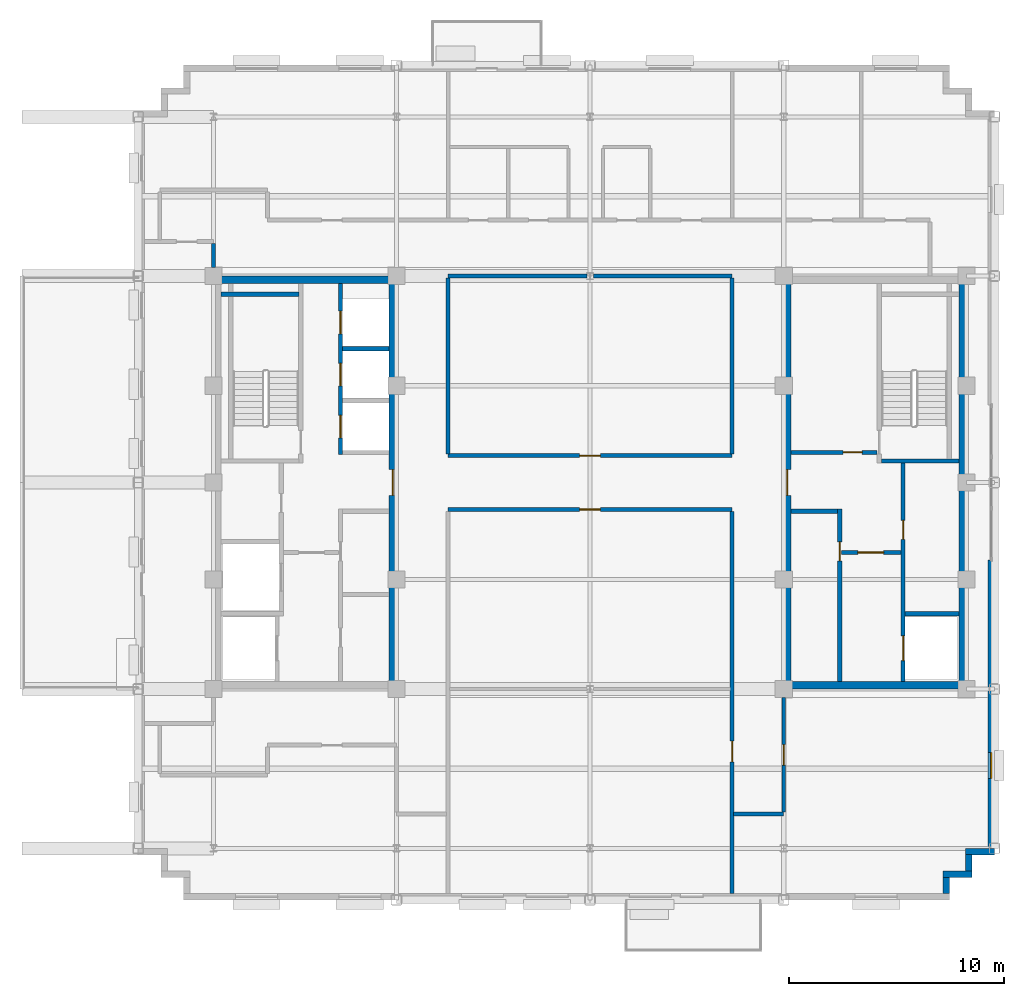
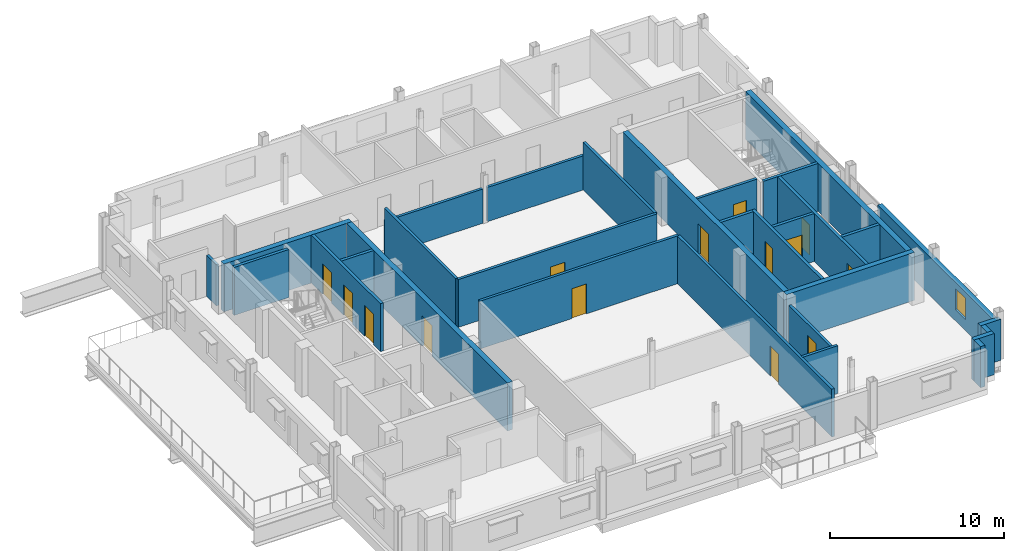
# One storey, part 7 of 14: 30 walls, 14 doors, 1 window, 15 openings.
"""IFC4 building model written with IfcOpenShell, lengths in metres."""

import ifcopenshell
import ifcopenshell.guid

model = None  # the IFC model being written
_history = None  # IfcOwnerHistory: only IFC2X3 demands one
_inside = {}  # id of a spatial element -> (the spatial element, [elements in it])
_under = {}  # id of a project, library or spatial element -> (it, [spatial elements below it])
_declared = {}  # id of a project -> (the project, [libraries it declares])
_typed = {}  # id of a type object -> (the type object, [elements of that type])
_made_of = {}  # id of a material, layer set ... -> (it, [elements and type objects made of it])


def new_model(schema):
    """Start an empty IFC model of exactly this schema.

    Asked for "IFC4X3", IfcOpenShell would pick the latest addendum, in which some entities
    have other attributes; the version numbers below select the first issue.
    IFC2X3 requires an IfcOwnerHistory on every rooted entity: one is made here for all.
    """
    global model, _history
    if schema == "IFC4X3":
        model = ifcopenshell.file(schema_version=(4, 3, 0, 0))
    else:
        model = ifcopenshell.file(schema=schema)
    _inside.clear()
    _under.clear()
    _declared.clear()
    _typed.clear()
    _made_of.clear()
    _history = None
    if model.schema == "IFC2X3":
        org = make("IfcOrganization", Name="unknown")
        user = make(
            "IfcPersonAndOrganization",
            ThePerson=make("IfcPerson", FamilyName="unknown"),
            TheOrganization=org,
        )
        app = make(
            "IfcApplication",
            ApplicationDeveloper=org,
            Version="unknown",
            ApplicationFullName="unknown",
            ApplicationIdentifier="unknown",
        )
        _history = make(
            "IfcOwnerHistory",
            OwningUser=user,
            OwningApplication=app,
            ChangeAction="ADDED",
            CreationDate=0,
        )
    return model


def make(cls, **values):
    """One entity of the class cls with the attributes given. An attribute that is None is left unset."""
    return model.create_entity(
        cls, **{name: value for name, value in values.items() if value is not None}
    )


def rooted(cls, **values):
    """An entity with a GlobalId (a new one), such as an element, a storey or a relation."""
    return make(cls, GlobalId=ifcopenshell.guid.new(), OwnerHistory=_history, **values)


def si_unit(unit_type, name, prefix=None):
    """IfcSIUnit, for example si_unit("LENGTHUNIT", "METRE", prefix="MILLI")."""
    return make("IfcSIUnit", UnitType=unit_type, Prefix=prefix, Name=name)


def assignment(units):
    """IfcUnitAssignment: the units of a project."""
    return None if units is None else make("IfcUnitAssignment", Units=units)


def point(xyz):
    """IfcCartesianPoint."""
    return None if xyz is None else make("IfcCartesianPoint", Coordinates=xyz)


def direction(xyz):
    """IfcDirection."""
    return None if xyz is None else make("IfcDirection", DirectionRatios=xyz)


def frame(location, z_axis=None, x_axis=None):
    """IfcAxis2Placement3D, a coordinate frame: its origin and axes. An axis left out is left unset."""
    return make(
        "IfcAxis2Placement3D",
        Location=point(location),
        Axis=direction(z_axis),
        RefDirection=direction(x_axis),
    )


def frame_2d(location, x_axis=None):
    """IfcAxis2Placement2D, a coordinate frame in the plane: its origin and x axis."""
    return make(
        "IfcAxis2Placement2D", Location=point(location), RefDirection=direction(x_axis)
    )


def origin():
    """The frame at (0, 0, 0) with its axes left unset."""
    return frame((0.0, 0.0, 0.0))


def place(relative_to, where):
    """IfcLocalPlacement: puts the frame where relative to a parent placement (None: the world)."""
    return make(
        "IfcLocalPlacement", PlacementRelTo=relative_to, RelativePlacement=where
    )


def context(
    kind, dimensions, precision=None, world=None, true_north=None, identifier=None
):
    """IfcGeometricRepresentationContext, for example the 3D "Model" context."""
    return make(
        "IfcGeometricRepresentationContext",
        ContextIdentifier=identifier,
        ContextType=kind,
        CoordinateSpaceDimension=dimensions,
        Precision=precision,
        WorldCoordinateSystem=world,
        TrueNorth=true_north,
    )


def subcontext(parent, identifier, kind, view, scale=None):
    """IfcGeometricRepresentationSubContext, for example "Body" below "Model"."""
    return make(
        "IfcGeometricRepresentationSubContext",
        ContextIdentifier=identifier,
        ContextType=kind,
        ParentContext=parent,
        TargetScale=scale,
        TargetView=view,
    )


def project(units=None, contexts=None):
    """IfcProject with its units and contexts."""
    return rooted(
        "IfcProject",
        Name="project",
        RepresentationContexts=contexts,
        UnitsInContext=assignment(units),
    )


def spatial(cls, under=None, at=None, **own):
    """A site, building, storey or space (cls), placed at a placement, below another one or the project."""
    s = rooted(cls, ObjectPlacement=at, **own)
    if under is not None:
        _under.setdefault(under.id(), (under, []))[1].append(s)
    return s


def profile(cls, at=None, kind="AREA", **sizes):
    """A parametric profile (cls). Its sizes go by their IFC names, for example OverallWidth=200.0."""
    return make(cls, ProfileType=kind, Position=at, **sizes)


def rectangle(**sizes):
    """IfcRectangleProfileDef."""
    return profile("IfcRectangleProfileDef", **sizes)


def extrude(swept, where, along, depth):
    """IfcExtrudedAreaSolid: the profile swept, set in the frame where, extruded along a direction by depth."""
    return make(
        "IfcExtrudedAreaSolid",
        SweptArea=swept,
        Position=where,
        ExtrudedDirection=direction(along),
        Depth=depth,
    )


def shape(context_of_items, identifier, shape_type, items):
    """IfcShapeRepresentation: the items that make up one representation, for example the "Body"."""
    return make(
        "IfcShapeRepresentation",
        ContextOfItems=context_of_items,
        RepresentationIdentifier=identifier,
        RepresentationType=shape_type,
        Items=items,
    )


def source(mapping_origin, context_of_items, identifier, shape_type, items):
    """IfcRepresentationMap: a shape defined once, which mapped items show again and again."""
    return make(
        "IfcRepresentationMap",
        MappingOrigin=mapping_origin,
        MappedRepresentation=shape(context_of_items, identifier, shape_type, items),
    )


def transform(
    local_origin,
    x_axis=None,
    y_axis=None,
    z_axis=None,
    scale=None,
    scale2=None,
    scale3=None,
    uniform=True,
):
    """IfcCartesianTransformationOperator3D, or its non-uniform kind. x_axis, y_axis, z_axis: its Axis1, 2, 3."""
    if uniform:
        return make(
            "IfcCartesianTransformationOperator3D",
            Axis1=direction(x_axis),
            Axis2=direction(y_axis),
            LocalOrigin=point(local_origin),
            Scale=scale,
            Axis3=direction(z_axis),
        )
    return make(
        "IfcCartesianTransformationOperator3DnonUniform",
        Axis1=direction(x_axis),
        Axis2=direction(y_axis),
        LocalOrigin=point(local_origin),
        Scale=scale,
        Axis3=direction(z_axis),
        Scale2=scale2,
        Scale3=scale3,
    )


def mapped(mapping_source, mapping_target):
    """IfcMappedItem: shows the shape of a source again, moved by a transform."""
    return make(
        "IfcMappedItem", MappingSource=mapping_source, MappingTarget=mapping_target
    )


def material(Name=None, Category=None):
    """IfcMaterial."""
    return make("IfcMaterial", Name=Name, Category=Category)


def layer(
    of_material, thickness, ventilated=None, Name=None, Category=None, Priority=None
):
    """IfcMaterialLayer: one layer of a wall or slab, of a material (None: an air gap)."""
    return make(
        "IfcMaterialLayer",
        Material=of_material,
        LayerThickness=thickness,
        IsVentilated=ventilated,
        Name=Name,
        Category=Category,
        Priority=Priority,
    )


def layer_set(layers, Name=None):
    """IfcMaterialLayerSet."""
    return make("IfcMaterialLayerSet", MaterialLayers=layers, LayerSetName=Name)


def made_of(thing, what):
    """Note that an element or type object is made of a material, layer set ...; save() writes the relation."""
    if what is not None:
        _made_of.setdefault(what.id(), (what, []))[1].append(thing)
    return thing


def type_object(cls, material=None, **own):
    """A type object (cls), such as IfcWallType, which elements share."""
    return made_of(rooted(cls, **own), material)


def type_shapes(of_type, sources):
    """Give a type object the sources (RepresentationMaps) that its elements show as mapped items."""
    of_type.RepresentationMaps = sources


def element(
    cls,
    number,
    at=None,
    inside=None,
    cuts=None,
    type_object=None,
    material=None,
    context=None,
    identifier="Body",
    shape_type=None,
    held_by="IfcProductDefinitionShape",
    body=None,
    shapes=None,
    **own,
):
    """One element of the class cls, such as IfcWall. Its Tag is "e" and its number.

    at: its placement. inside: the storey or other place that contains it. cuts: it is an
    opening in that element (IfcRelVoidsElement). A single representation is given by context,
    identifier, shape_type and body (its items); several are given by shapes. held_by: the class
    of the entity that holds the representations. save() writes the other relations.
    """
    e = rooted(cls, Tag="e%d" % number, ObjectPlacement=at, **own)
    if body is not None:
        shapes = [shape(context, identifier, shape_type, body)]
    if shapes is not None:
        e.Representation = make(held_by, Representations=shapes)
    if inside is not None:
        _inside.setdefault(inside.id(), (inside, []))[1].append(e)
    if cuts is not None:
        rooted(
            "IfcRelVoidsElement", RelatingBuildingElement=cuts, RelatedOpeningElement=e
        )
    if type_object is not None:
        _typed.setdefault(type_object.id(), (type_object, []))[1].append(e)
    return made_of(e, material)


def fill(opening, filler):
    """IfcRelFillsElement: the door or window that sits in an opening."""
    return rooted(
        "IfcRelFillsElement",
        RelatingOpeningElement=opening,
        RelatedBuildingElement=filler,
    )


def aggregate(whole, parts):
    """IfcRelAggregates: a whole, such as a stair, and the parts it consists of."""
    return rooted("IfcRelAggregates", RelatingObject=whole, RelatedObjects=parts)


def save(model, path):
    """Write the relations noted so far, then the file.

    IfcRelAggregates (storeys below a building ...), IfcRelContainedInSpatialStructure (elements
    in a storey), IfcRelDefinesByType, IfcRelAssociatesMaterial and IfcRelDeclares: one each for
    every whole, place, type object, material and project.
    """
    for whole, parts in _under.values():
        aggregate(whole, parts)
    for where, things in _inside.values():
        rooted(
            "IfcRelContainedInSpatialStructure",
            RelatedElements=things,
            RelatingStructure=where,
        )
    for kind, things in _typed.values():
        rooted("IfcRelDefinesByType", RelatedObjects=things, RelatingType=kind)
    for what, things in _made_of.values():
        rooted("IfcRelAssociatesMaterial", RelatedObjects=things, RelatingMaterial=what)
    for by, libraries in _declared.values():
        rooted("IfcRelDeclares", RelatingContext=by, RelatedDefinitions=libraries)
    model.write(path)


model = new_model("IFC4")

# Units and contexts
model_context = context("Model", 3, precision=1e-05, world=origin(), true_north=direction((0.0, 1.0)))
body_context = subcontext(model_context, "Body", "Model", "MODEL_VIEW")
ifc_project = project(units=[si_unit("LENGTHUNIT", "METRE"), si_unit("AREAUNIT", "SQUARE_METRE"), si_unit("VOLUMEUNIT", "CUBIC_METRE"), si_unit("PLANEANGLEUNIT", "RADIAN"), si_unit("MASSUNIT", "GRAM", prefix="KILO")], contexts=[model_context])

# Site, building, storey
site_placement = place(None, origin())
site = spatial("IfcSite", under=ifc_project, at=site_placement, CompositionType="ELEMENT")
building_placement = place(site_placement, origin())
building = spatial("IfcBuilding", under=site, at=building_placement, Name="Nuvemarco Arch Tower", CompositionType="ELEMENT")
storey_placement = place(building_placement, frame((0.0, 0.0, 245.64990234375)))
storey = spatial("IfcBuildingStorey", under=building, at=storey_placement, Name="L65", CompositionType="ELEMENT", Elevation=245.64990234375)

# Walls
ifc_material_1 = material(Name="Precast concrete C45/55", Category="concrete")
ifc_layer_1 = layer(ifc_material_1, 0.300048828125, Name="EW-HIGH-300")
ifc_layer_set_1 = layer_set([ifc_layer_1], Name="Precast concrete C45/55")
wall_type_1 = type_object("IfcWallType", Name="EW-HIGH-300", PredefinedType="STANDARD", material=ifc_layer_set_1)
wall_1_placement = place(storey_placement, frame((16.550048828125, -19.10400390625, 0.0), z_axis=(0.0, 0.0, 1.0), x_axis=(0.0, 1.0, 0.0)))
element("IfcWall", 1, at=wall_1_placement, inside=storey, type_object=wall_type_1, Name="L65 exterior precast facade wall 2", PredefinedType="STANDARD", context=body_context, shape_type="SweptSolid", body=[
    extrude(rectangle(XDim=0.758056640625, YDim=0.300048828125, at=frame_2d((0.37890625, 0.0))), origin(), (0.0, 0.0, 1.0), 2.89208984375),
])
wall_2_placement = place(storey_placement, frame((16.39990234375, -18.199951171875, 0.0), z_axis=(0.0, 0.0, 1.0), x_axis=(1.0, 0.0, 0.0)))
element("IfcWall", 2, at=wall_2_placement, inside=storey, type_object=wall_type_1, Name="L65 exterior precast facade wall 3", PredefinedType="STANDARD", context=body_context, shape_type="SweptSolid", body=[
    extrude(rectangle(XDim=1.35009765625, YDim=0.300048828125, at=frame_2d((0.675048828125, 0.0))), origin(), (0.0, 0.0, 1.0), 2.89208984375),
])
wall_3_placement = place(storey_placement, frame((17.60009765625, -18.053955078125, 0.0), z_axis=(0.0, 0.0, 1.0), x_axis=(0.0, 1.0, 0.0)))
element("IfcWall", 3, at=wall_3_placement, inside=storey, type_object=wall_type_1, Name="L65 exterior precast facade wall 4", PredefinedType="STANDARD", context=body_context, shape_type="SweptSolid", body=[
    extrude(rectangle(XDim=0.758056640625, YDim=0.300048828125, at=frame_2d((0.37890625, 0.0))), origin(), (0.0, 0.0, 1.0), 2.89208984375),
])
wall_4_placement = place(storey_placement, frame((17.449951171875, -17.14990234375, 0.0), z_axis=(0.0, 0.0, 1.0), x_axis=(1.0, 0.0, 0.0)))
element("IfcWall", 4, at=wall_4_placement, inside=storey, type_object=wall_type_1, Name="L65 exterior precast facade wall 5", PredefinedType="STANDARD", context=body_context, shape_type="SweptSolid", body=[
    extrude(rectangle(XDim=1.35009765625, YDim=0.300048828125, at=frame_2d((0.675048828125, 0.0))), origin(), (0.0, 0.0, 1.0), 2.89208984375),
])

# Wall, opening, window
wall_5_placement = place(storey_placement, frame((18.64990234375, -17.00390625, 0.0), z_axis=(0.0, 0.0, 1.0), x_axis=(0.0, 1.0, 0.0)))
wall_5 = element("IfcWall", 5, at=wall_5_placement, inside=storey, type_object=wall_type_1, Name="L65 exterior precast pier wall east left", PredefinedType="STANDARD", context=body_context, shape_type="SweptSolid", body=[
    extrude(rectangle(XDim=13.40380859375, YDim=0.300048828125, at=frame_2d((6.701904296875, 0.0))), origin(), (0.0, 0.0, 1.0), 2.705078125),
])
opening_1_placement = place(wall_5_placement, frame((3.2509765625, 0.0, 0.800048828125)))
opening_1 = element("IfcOpeningElement", 6, at=opening_1_placement, cuts=wall_5, Name="Opening WN-8", PredefinedType="OPENING", context=body_context, shape_type="SweptSolid", body=[
    extrude(rectangle(XDim=1.199951171875, YDim=1.47998046875, at=frame_2d((0.60009765625, 0.739990234375))), frame((0.0, 0.159912109375, 0.0), z_axis=(0.0, -1.0, 0.0), x_axis=(1.0, 0.0, 0.0)), (0.0, 0.0, 1.0), 0.320068359375),
])
ifc_material_2 = material(Name="Insulated solar-control glass", Category="glass")
window_type = type_object("IfcWindowType", Name="WN-HIGH-1200x1480", PartitioningType="SINGLE_PANEL", PredefinedType="WINDOW", material=ifc_material_2)
shared_shape_1 = source(origin(), body_context, "Body", "SweptSolid", [
    extrude(rectangle(XDim=1.199951171875, YDim=1.47998046875, at=frame_2d((0.60009765625, 0.739990234375))), frame((0.0, 0.030029296875, 0.0), z_axis=(0.0, -1.0, 0.0), x_axis=(1.0, 0.0, 0.0)), (0.0, 0.0, 1.0), 0.06005859375),
])
type_shapes(window_type, [shared_shape_1])
window_placement = place(opening_1_placement, origin())
window = element("IfcWindow", 7, at=window_placement, inside=storey, type_object=window_type, Name="L65 punched facade window 1", OverallHeight=1.47998046875, OverallWidth=1.199951171875, PartitioningType="SINGLE_PANEL", PredefinedType="WINDOW", context=body_context, shape_type="MappedRepresentation", body=[
    mapped(shared_shape_1, transform((0.0, 0.0, 0.0), scale=1.0)),
])
fill(opening_1, window)

# Wall
ifc_material_3 = material(Name="Concrete C50/60", Category="concrete")
ifc_layer_2 = layer(ifc_material_3, 0.35009765625, Name="WL-CORE-350")
ifc_layer_set_2 = layer_set([ifc_layer_2], Name="Concrete C50/60")
wall_type_2 = type_object("IfcWallType", Name="WL-CORE-350", PredefinedType="SHEAR", material=ifc_layer_set_2)
wall_6_placement = place(storey_placement, frame((-17.5, 9.425048828125, 0.0), z_axis=(0.0, 0.0, 1.0), x_axis=(1.0, 0.0, 0.0)))
element("IfcWall", 8, at=wall_6_placement, inside=storey, type_object=wall_type_2, Name="L65 W-core shear wall N", PredefinedType="SHEAR", context=body_context, shape_type="SweptSolid", body=[
    extrude(rectangle(XDim=8.5, YDim=0.35009765625, at=frame_2d((4.25, 0.0))), origin(), (0.0, 0.0, 1.0), 3.3701171875),
])

# Wall, opening, door
wall_7_placement = place(storey_placement, frame((-9.175048828125, -9.2548828125, 0.0), z_axis=(0.0, 0.0, 1.0), x_axis=(0.0, 1.0, 0.0)))
wall_7 = element("IfcWall", 9, at=wall_7_placement, inside=storey, type_object=wall_type_2, Name="L65 W-core shear wall E", PredefinedType="SHEAR", context=body_context, shape_type="SweptSolid", body=[
    extrude(rectangle(XDim=18.509765625, YDim=0.35009765625, at=frame_2d((9.2548828125, 0.0))), origin(), (0.0, 0.0, 1.0), 3.3701171875),
])
opening_2_placement = place(wall_7_placement, frame((8.655029296875, 0.0, 0.0)))
opening_2 = element("IfcOpeningElement", 10, at=opening_2_placement, cuts=wall_7, Name="Opening FD-2", PredefinedType="OPENING", context=body_context, shape_type="SweptSolid", body=[
    extrude(rectangle(XDim=1.199951171875, YDim=2.14990234375, at=frame_2d((0.60009765625, 1.074951171875))), frame((0.0, 0.18505859375, 0.0), z_axis=(0.0, -1.0, 0.0), x_axis=(1.0, 0.0, 0.0)), (0.0, 0.0, 1.0), 0.3701171875),
])
ifc_material_4 = material(Name="Anodised steel fire door", Category="steel")
door_type_1 = type_object("IfcDoorType", Name="DR-FFLOB-FD", OperationType="NOTDEFINED", PredefinedType="DOOR", material=ifc_material_4)
shared_shape_2 = source(origin(), body_context, "Body", "SweptSolid", [
    extrude(rectangle(XDim=1.199951171875, YDim=2.14990234375, at=frame_2d((0.60009765625, 1.074951171875))), frame((0.0, 0.02490234375, 0.0), z_axis=(0.0, -1.0, 0.0), x_axis=(1.0, 0.0, 0.0)), (0.0, 0.0, 1.0), 0.050048828125),
])
type_shapes(door_type_1, [shared_shape_2])
door_1_placement = place(opening_2_placement, origin())
door_1 = element("IfcDoor", 11, at=door_1_placement, inside=storey, type_object=door_type_1, Name="L65 door FD-L65-WCORE-E", OperationType="SINGLE_SWING_LEFT", OverallHeight=2.14990234375, OverallWidth=1.199951171875, PredefinedType="DOOR", context=body_context, shape_type="MappedRepresentation", body=[
    mapped(shared_shape_2, transform((0.0, 0.0, 0.0), scale=1.0)),
])
fill(opening_2, door_1)

# Wall
wall_8_placement = place(storey_placement, frame((9.0, -9.425048828125, 0.0), z_axis=(0.0, 0.0, 1.0), x_axis=(1.0, 0.0, 0.0)))
element("IfcWall", 12, at=wall_8_placement, inside=storey, type_object=wall_type_2, Name="L65 E-core shear wall S", PredefinedType="SHEAR", context=body_context, shape_type="SweptSolid", body=[
    extrude(rectangle(XDim=8.5, YDim=0.35009765625, at=frame_2d((4.25, 0.0))), origin(), (0.0, 0.0, 1.0), 3.3701171875),
])

# Wall, opening, door
wall_9_placement = place(storey_placement, frame((9.175048828125, -9.2548828125, 0.0), z_axis=(0.0, 0.0, 1.0), x_axis=(0.0, 1.0, 0.0)))
wall_9 = element("IfcWall", 13, at=wall_9_placement, inside=storey, type_object=wall_type_2, Name="L65 E-core shear wall W", PredefinedType="SHEAR", context=body_context, shape_type="SweptSolid", body=[
    extrude(rectangle(XDim=18.509765625, YDim=0.35009765625, at=frame_2d((9.2548828125, 0.0))), origin(), (0.0, 0.0, 1.0), 3.3701171875),
])
opening_3_placement = place(wall_9_placement, frame((8.655029296875, 0.0, 0.0)))
opening_3 = element("IfcOpeningElement", 14, at=opening_3_placement, cuts=wall_9, Name="Opening FD-2", PredefinedType="OPENING", context=body_context, shape_type="SweptSolid", body=[
    extrude(rectangle(XDim=1.199951171875, YDim=2.14990234375, at=frame_2d((0.60009765625, 1.074951171875))), frame((0.0, 0.18505859375, 0.0), z_axis=(0.0, -1.0, 0.0), x_axis=(1.0, 0.0, 0.0)), (0.0, 0.0, 1.0), 0.3701171875),
])
door_2_placement = place(opening_3_placement, origin())
door_2 = element("IfcDoor", 15, at=door_2_placement, inside=storey, type_object=door_type_1, Name="L65 door FD-L65-ECORE-W", OperationType="SINGLE_SWING_RIGHT", OverallHeight=2.14990234375, OverallWidth=1.199951171875, PredefinedType="DOOR", context=body_context, shape_type="MappedRepresentation", body=[
    mapped(shared_shape_2, transform((0.0, 0.0, 0.0), scale=1.0)),
])
fill(opening_3, door_2)

# Wall
wall_10_placement = place(storey_placement, frame((17.324951171875, -9.2548828125, 0.0), z_axis=(0.0, 0.0, 1.0), x_axis=(0.0, 1.0, 0.0)))
element("IfcWall", 16, at=wall_10_placement, inside=storey, type_object=wall_type_2, Name="L65 E-core shear wall E", PredefinedType="SHEAR", context=body_context, shape_type="SweptSolid", body=[
    extrude(rectangle(XDim=18.509765625, YDim=0.35009765625, at=frame_2d((9.2548828125, 0.0))), origin(), (0.0, 0.0, 1.0), 3.3701171875),
])

# Wall, opening, door
ifc_material_5 = material(Name="Fire-rated gypsum drywall partition")
ifc_layer_3 = layer(ifc_material_5, 0.179931640625, Name="WL-CORR-180")
ifc_layer_set_3 = layer_set([ifc_layer_3], Name="Fire-rated gypsum drywall partition")
wall_type_3 = type_object("IfcWallType", Name="WL-CORR-180", PredefinedType="PARTITIONING", material=ifc_layer_set_3)
wall_11_placement = place(storey_placement, frame((9.344970703125, 1.39990234375, 0.0), z_axis=(0.0, 0.0, 1.0), x_axis=(1.0, 0.0, 0.0)))
wall_11 = element("IfcWall", 17, at=wall_11_placement, inside=storey, type_object=wall_type_3, Name="L65 interior wall IW-L65-EK-S", PredefinedType="PARTITIONING", context=body_context, shape_type="SweptSolid", body=[
    extrude(rectangle(XDim=4.0, YDim=0.179931640625, at=frame_2d((2.0, 0.0))), origin(), (0.0, 0.0, 1.0), 3.360107421875),
])
opening_4_placement = place(wall_11_placement, frame((2.4150390625, 0.0, 0.0)))
opening_4 = element("IfcOpeningElement", 18, at=opening_4_placement, cuts=wall_11, Name="Opening FD-4", PredefinedType="OPENING", context=body_context, shape_type="SweptSolid", body=[
    extrude(rectangle(XDim=0.8798828125, YDim=2.10009765625, at=frame_2d((0.43994140625, 1.050048828125))), frame((0.0, 0.099853515625, 0.0), z_axis=(0.0, -1.0, 0.0), x_axis=(1.0, 0.0, 0.0)), (0.0, 0.0, 1.0), 0.199951171875),
])
door_type_2 = type_object("IfcDoorType", Name="DR-RISER-FD", OperationType="NOTDEFINED", PredefinedType="DOOR", material=ifc_material_4)
shared_shape_3 = source(origin(), body_context, "Body", "SweptSolid", [
    extrude(rectangle(XDim=0.8798828125, YDim=2.10009765625, at=frame_2d((0.43994140625, 1.050048828125))), frame((0.0, 0.02490234375, 0.0), z_axis=(0.0, -1.0, 0.0), x_axis=(1.0, 0.0, 0.0)), (0.0, 0.0, 1.0), 0.050048828125),
])
type_shapes(door_type_2, [shared_shape_3])
door_3_placement = place(opening_4_placement, origin())
door_3 = element("IfcDoor", 19, at=door_3_placement, inside=storey, type_object=door_type_2, Name="L65 door FD-L65-EK1A", OperationType="SINGLE_SWING_LEFT", OverallHeight=2.10009765625, OverallWidth=0.8798828125, PredefinedType="DOOR", context=body_context, shape_type="MappedRepresentation", body=[
    mapped(shared_shape_3, transform((0.0, 0.0, 0.0), scale=1.0)),
])
fill(opening_4, door_3)

# Wall
wall_12_placement = place(storey_placement, frame((6.666015625, -15.39990234375, 0.0), z_axis=(0.0, 0.0, 1.0), x_axis=(1.0, 0.0, 0.0)))
element("IfcWall", 20, at=wall_12_placement, inside=storey, type_object=wall_type_3, Name="L65 interior wall IW-L65-002", PredefinedType="PARTITIONING", context=body_context, shape_type="SweptSolid", body=[
    extrude(rectangle(XDim=2.333984375, YDim=0.179931640625, at=frame_2d((1.1669921875, 0.0))), origin(), (0.0, 0.0, 1.0), 3.360107421875),
])

# Wall, opening, door
wall_13_placement = place(storey_placement, frame((-6.60009765625, -1.25, 0.0), z_axis=(0.0, 0.0, 1.0), x_axis=(1.0, 0.0, 0.0)))
wall_13 = element("IfcWall", 21, at=wall_13_placement, inside=storey, type_object=wall_type_3, Name="L65 interior wall IW-L65-008", PredefinedType="PARTITIONING", context=body_context, shape_type="SweptSolid", body=[
    extrude(rectangle(XDim=13.2001953125, YDim=0.179931640625, at=frame_2d((6.60009765625, 0.0))), origin(), (0.0, 0.0, 1.0), 3.360107421875),
])
opening_5_placement = place(wall_13_placement, frame((6.1201171875, 0.0, 0.0)))
opening_5 = element("IfcOpeningElement", 22, at=opening_5_placement, cuts=wall_13, Name="Opening FD-5", PredefinedType="OPENING", context=body_context, shape_type="SweptSolid", body=[
    extrude(rectangle(XDim=0.9599609375, YDim=2.10009765625, at=frame_2d((0.47998046875, 1.050048828125))), frame((0.0, 0.099853515625, 0.0), z_axis=(0.0, -1.0, 0.0), x_axis=(1.0, 0.0, 0.0)), (0.0, 0.0, 1.0), 0.199951171875),
])
ifc_material_6 = material(Name="Timber fire door", Category="wood")
door_type_3 = type_object("IfcDoorType", Name="DR-CORR-FD", OperationType="NOTDEFINED", PredefinedType="DOOR", material=ifc_material_6)
shared_shape_4 = source(origin(), body_context, "Body", "SweptSolid", [
    extrude(rectangle(XDim=0.9599609375, YDim=2.10009765625, at=frame_2d((0.47998046875, 1.050048828125))), frame((0.0, 0.02490234375, 0.0), z_axis=(0.0, -1.0, 0.0), x_axis=(1.0, 0.0, 0.0)), (0.0, 0.0, 1.0), 0.050048828125),
])
type_shapes(door_type_3, [shared_shape_4])
door_4_placement = place(opening_5_placement, origin())
door_4 = element("IfcDoor", 23, at=door_4_placement, inside=storey, type_object=door_type_3, Name="L65 door DR-L65-C_S1", OperationType="SINGLE_SWING_LEFT", OverallHeight=2.10009765625, OverallWidth=0.9599609375, PredefinedType="DOOR", context=body_context, shape_type="MappedRepresentation", body=[
    mapped(shared_shape_4, transform((0.0, 0.0, 0.0), scale=1.0)),
])
fill(opening_5, door_4)

wall_14_placement = place(storey_placement, frame((-6.60009765625, 1.25, 0.0), z_axis=(0.0, 0.0, 1.0), x_axis=(1.0, 0.0, 0.0)))
wall_14 = element("IfcWall", 24, at=wall_14_placement, inside=storey, type_object=wall_type_3, Name="L65 interior wall IW-L65-009", PredefinedType="PARTITIONING", context=body_context, shape_type="SweptSolid", body=[
    extrude(rectangle(XDim=13.2001953125, YDim=0.179931640625, at=frame_2d((6.60009765625, 0.0))), origin(), (0.0, 0.0, 1.0), 3.360107421875),
])
opening_6_placement = place(wall_14_placement, frame((6.1201171875, 0.0, 0.0)))
opening_6 = element("IfcOpeningElement", 25, at=opening_6_placement, cuts=wall_14, Name="Opening FD-5", PredefinedType="OPENING", context=body_context, shape_type="SweptSolid", body=[
    extrude(rectangle(XDim=0.9599609375, YDim=2.10009765625, at=frame_2d((0.47998046875, 1.050048828125))), frame((0.0, 0.099853515625, 0.0), z_axis=(0.0, -1.0, 0.0), x_axis=(1.0, 0.0, 0.0)), (0.0, 0.0, 1.0), 0.199951171875),
])
door_5_placement = place(opening_6_placement, origin())
door_5 = element("IfcDoor", 26, at=door_5_placement, inside=storey, type_object=door_type_3, Name="L65 door DR-L65-C_N1", OperationType="SINGLE_SWING_RIGHT", OverallHeight=2.10009765625, OverallWidth=0.9599609375, PredefinedType="DOOR", context=body_context, shape_type="MappedRepresentation", body=[
    mapped(shared_shape_4, transform((0.0, 0.0, 0.0), scale=1.0)),
])
fill(opening_6, door_5)

# Walls
for number, where, z_axis, x_axis, name in (
    (27, (-6.60009765625, 9.60009765625, 0.0), (0.0, 0.0, 1.0), (1.0, 0.0, 0.0), "L65 interior wall IW-L65-010"),
    (28, (0.15087890625, 9.60009765625, 0.0), (0.0, 0.0, 1.0), (1.0, 0.0, 0.0), "L65 interior wall IW-L65-011"),
):
    element("IfcWall", number, at=place(storey_placement, frame(where, z_axis=z_axis, x_axis=x_axis)), inside=storey, type_object=wall_type_3, Name=name, PredefinedType="PARTITIONING", context=body_context, shape_type="SweptSolid", body=[
        extrude(rectangle(XDim=6.44921875, YDim=0.179931640625, at=frame_2d((3.224609375, 0.0))), origin(), (0.0, 0.0, 1.0), 2.405029296875),
    ])
wall_15_placement = place(storey_placement, frame((-17.5, 9.99609375, 0.0), z_axis=(0.0, 0.0, 1.0), x_axis=(0.0, 1.0, 0.0)))
element("IfcWall", 29, at=wall_15_placement, inside=storey, type_object=wall_type_3, Name="L65 interior wall IW-L65-020", PredefinedType="PARTITIONING", context=body_context, shape_type="SweptSolid", body=[
    extrude(rectangle(XDim=1.117919921875, YDim=0.179931640625, at=frame_2d((0.55908203125, 0.0))), origin(), (0.0, 0.0, 1.0), 2.89208984375),
])
wall_16_placement = place(storey_placement, frame((-6.60009765625, 1.3359375, 0.0), z_axis=(0.0, 0.0, 1.0), x_axis=(0.0, 1.0, 0.0)))
element("IfcWall", 30, at=wall_16_placement, inside=storey, type_object=wall_type_3, Name="L65 interior wall IW-L65-025", PredefinedType="PARTITIONING", context=body_context, shape_type="SweptSolid", body=[
    extrude(rectangle(XDim=8.177978515625, YDim=0.179931640625, at=frame_2d((4.0888671875, 0.0))), origin(), (0.0, 0.0, 1.0), 3.360107421875),
])

# Wall, opening, door
wall_17_placement = place(storey_placement, frame((6.60009765625, -19.10009765625, 0.0), z_axis=(0.0, 0.0, 1.0), x_axis=(0.0, 1.0, 0.0)))
wall_17 = element("IfcWall", 31, at=wall_17_placement, inside=storey, type_object=wall_type_3, Name="L65 interior wall IW-L65-031", PredefinedType="PARTITIONING", context=body_context, shape_type="SweptSolid", body=[
    extrude(rectangle(XDim=17.76416015625, YDim=0.179931640625, at=frame_2d((8.882080078125, 0.0))), origin(), (0.0, 0.0, 1.0), 3.360107421875),
])
opening_7_placement = place(wall_17_placement, frame((6.1201171875, 0.0, 0.0)))
opening_7 = element("IfcOpeningElement", 32, at=opening_7_placement, cuts=wall_17, Name="Opening FD-5", PredefinedType="OPENING", context=body_context, shape_type="SweptSolid", body=[
    extrude(rectangle(XDim=0.9599609375, YDim=2.10009765625, at=frame_2d((0.47998046875, 1.050048828125))), frame((0.0, 0.099853515625, 0.0), z_axis=(0.0, -1.0, 0.0), x_axis=(1.0, 0.0, 0.0)), (0.0, 0.0, 1.0), 0.199951171875),
])
door_6_placement = place(opening_7_placement, origin())
door_6 = element("IfcDoor", 33, at=door_6_placement, inside=storey, type_object=door_type_3, Name="L65 door DR-L65-S_2", OperationType="SINGLE_SWING_RIGHT", OverallHeight=2.10009765625, OverallWidth=0.9599609375, PredefinedType="DOOR", context=body_context, shape_type="MappedRepresentation", body=[
    mapped(shared_shape_4, transform((0.0, 0.0, 0.0), scale=1.0)),
])
fill(opening_7, door_6)

# Wall
wall_18_placement = place(storey_placement, frame((6.60009765625, 1.3359375, 0.0), z_axis=(0.0, 0.0, 1.0), x_axis=(0.0, 1.0, 0.0)))
element("IfcWall", 34, at=wall_18_placement, inside=storey, type_object=wall_type_3, Name="L65 interior wall IW-L65-032", PredefinedType="PARTITIONING", context=body_context, shape_type="SweptSolid", body=[
    extrude(rectangle(XDim=8.177978515625, YDim=0.179931640625, at=frame_2d((4.0888671875, 0.0))), origin(), (0.0, 0.0, 1.0), 3.360107421875),
])

# Wall, opening, door
wall_19_placement = place(storey_placement, frame((9.0, -15.31396484375, 0.0), z_axis=(0.0, 0.0, 1.0), x_axis=(0.0, 1.0, 0.0)))
wall_19 = element("IfcWall", 35, at=wall_19_placement, inside=storey, type_object=wall_type_3, Name="L65 interior wall IW-L65-034", PredefinedType="PARTITIONING", context=body_context, shape_type="SweptSolid", body=[
    extrude(rectangle(XDim=5.31787109375, YDim=0.179931640625, at=frame_2d((2.658935546875, 0.0))), origin(), (0.0, 0.0, 1.0), 2.89208984375),
])
opening_8_placement = place(wall_19_placement, frame((2.178955078125, 0.0, 0.0)))
opening_8 = element("IfcOpeningElement", 36, at=opening_8_placement, cuts=wall_19, Name="Opening FD-5", PredefinedType="OPENING", context=body_context, shape_type="SweptSolid", body=[
    extrude(rectangle(XDim=0.9599609375, YDim=2.10009765625, at=frame_2d((0.47998046875, 1.050048828125))), frame((0.0, 0.099853515625, 0.0), z_axis=(0.0, -1.0, 0.0), x_axis=(1.0, 0.0, 0.0)), (0.0, 0.0, 1.0), 0.199951171875),
])
door_7_placement = place(opening_8_placement, origin())
door_7 = element("IfcDoor", 37, at=door_7_placement, inside=storey, type_object=door_type_3, Name="L65 door DR-L65-S_3", OperationType="SINGLE_SWING_LEFT", OverallHeight=2.10009765625, OverallWidth=0.9599609375, PredefinedType="DOOR", context=body_context, shape_type="MappedRepresentation", body=[
    mapped(shared_shape_4, transform((0.0, 0.0, 0.0), scale=1.0)),
])
fill(opening_8, door_7)

# Wall
ifc_layer_4 = layer(ifc_material_3, 0.199951171875, Name="WL-SHAFT-220")
ifc_layer_set_4 = layer_set([ifc_layer_4], Name="Concrete C50/60")
wall_type_4 = type_object("IfcWallType", Name="WL-SHAFT-220", PredefinedType="SHEAR", material=ifc_layer_set_4)
wall_20_placement = place(storey_placement, frame((-17.155029296875, 8.75, 0.0), z_axis=(0.0, 0.0, 1.0), x_axis=(1.0, 0.0, 0.0)))
element("IfcWall", 38, at=wall_20_placement, inside=storey, type_object=wall_type_4, Name="L65 structural shaft wall SW-L65-W-ST1N", PredefinedType="SHEAR", context=body_context, shape_type="SweptSolid", body=[
    extrude(rectangle(XDim=3.6201171875, YDim=0.199951171875, at=frame_2d((1.81005859375, 0.0))), origin(), (0.0, 0.0, 1.0), 3.3701171875),
])

# Wall, openings, doors
wall_21_placement = place(storey_placement, frame((-11.60009765625, 1.300048828125, 0.0), z_axis=(0.0, 0.0, 1.0), x_axis=(0.0, 1.0, 0.0)))
wall_21 = element("IfcWall", 39, at=wall_21_placement, inside=storey, type_object=wall_type_4, Name="L65 structural shaft wall SW-L65-W-PHW", PredefinedType="SHEAR", context=body_context, shape_type="SweptSolid", body=[
    extrude(rectangle(XDim=7.954833984375, YDim=0.199951171875, at=frame_2d((3.9775390625, 0.0))), origin(), (0.0, 0.0, 1.0), 3.3701171875),
])
opening_9_placement = place(wall_21_placement, frame((0.77490234375, 0.0, 0.0)))
opening_9 = element("IfcOpeningElement", 40, at=opening_9_placement, cuts=wall_21, Name="Opening LD-1", PredefinedType="OPENING", context=body_context, shape_type="SweptSolid", body=[
    extrude(rectangle(XDim=1.050048828125, YDim=2.14990234375, at=frame_2d((0.52490234375, 1.074951171875))), frame((0.0, 0.10986328125, 0.0), z_axis=(0.0, -1.0, 0.0), x_axis=(1.0, 0.0, 0.0)), (0.0, 0.0, 1.0), 0.219970703125),
])
opening_10_placement = place(wall_21_placement, frame((3.195068359375, 0.0, 0.0)))
opening_10 = element("IfcOpeningElement", 41, at=opening_10_placement, cuts=wall_21, Name="Opening LD-1", PredefinedType="OPENING", context=body_context, shape_type="SweptSolid", body=[
    extrude(rectangle(XDim=1.050048828125, YDim=2.14990234375, at=frame_2d((0.52490234375, 1.074951171875))), frame((0.0, 0.10986328125, 0.0), z_axis=(0.0, -1.0, 0.0), x_axis=(1.0, 0.0, 0.0)), (0.0, 0.0, 1.0), 0.219970703125),
])
opening_11_placement = place(wall_21_placement, frame((5.614990234375, 0.0, 0.0)))
opening_11 = element("IfcOpeningElement", 42, at=opening_11_placement, cuts=wall_21, Name="Opening LD-1", PredefinedType="OPENING", context=body_context, shape_type="SweptSolid", body=[
    extrude(rectangle(XDim=1.050048828125, YDim=2.14990234375, at=frame_2d((0.52490234375, 1.074951171875))), frame((0.0, 0.10986328125, 0.0), z_axis=(0.0, -1.0, 0.0), x_axis=(1.0, 0.0, 0.0)), (0.0, 0.0, 1.0), 0.219970703125),
])
ifc_material_7 = material(Name="Stainless steel lift door", Category="steel")
door_type_4 = type_object("IfcDoorType", Name="DR-LIFT-PASS", OperationType="DOUBLE_DOOR_SLIDING", PredefinedType="DOOR", material=ifc_material_7)
shared_shape_5 = source(origin(), body_context, "Body", "SweptSolid", [
    extrude(rectangle(XDim=1.050048828125, YDim=2.14990234375, at=frame_2d((0.52490234375, 1.074951171875))), frame((0.0, 0.02490234375, 0.0), z_axis=(0.0, -1.0, 0.0), x_axis=(1.0, 0.0, 0.0)), (0.0, 0.0, 1.0), 0.050048828125),
])
type_shapes(door_type_4, [shared_shape_5])
door_8_placement = place(opening_9_placement, origin())
door_8 = element("IfcDoor", 43, at=door_8_placement, inside=storey, type_object=door_type_4, Name="L65 Lift landing sliding door PH-1", OperationType="DOUBLE_DOOR_SLIDING", OverallHeight=2.14990234375, OverallWidth=1.050048828125, PredefinedType="DOOR", context=body_context, shape_type="MappedRepresentation", body=[
    mapped(shared_shape_5, transform((0.0, 0.0, 0.0), scale=1.0)),
])
fill(opening_9, door_8)
door_9_placement = place(opening_10_placement, origin())
door_9 = element("IfcDoor", 44, at=door_9_placement, inside=storey, type_object=door_type_4, Name="L65 Lift landing sliding door PH-2", OperationType="DOUBLE_DOOR_SLIDING", OverallHeight=2.14990234375, OverallWidth=1.050048828125, PredefinedType="DOOR", context=body_context, shape_type="MappedRepresentation", body=[
    mapped(shared_shape_5, transform((0.0, 0.0, 0.0), scale=1.0)),
])
fill(opening_10, door_9)
door_10_placement = place(opening_11_placement, origin())
door_10 = element("IfcDoor", 45, at=door_10_placement, inside=storey, type_object=door_type_4, Name="L65 Lift landing sliding door PH-3", OperationType="DOUBLE_DOOR_SLIDING", OverallHeight=2.14990234375, OverallWidth=1.050048828125, PredefinedType="DOOR", context=body_context, shape_type="MappedRepresentation", body=[
    mapped(shared_shape_5, transform((0.0, 0.0, 0.0), scale=1.0)),
])
fill(opening_11, door_10)

# Walls
wall_22_placement = place(storey_placement, frame((-11.5048828125, 6.219970703125, 0.0), z_axis=(0.0, 0.0, 1.0), x_axis=(1.0, 0.0, 0.0)))
element("IfcWall", 46, at=wall_22_placement, inside=storey, type_object=wall_type_4, Name="L65 structural shaft wall SW-L65-W-PHD3", PredefinedType="SHEAR", context=body_context, shape_type="SweptSolid", body=[
    extrude(rectangle(XDim=2.159912109375, YDim=0.199951171875, at=frame_2d((1.080078125, 0.0))), origin(), (0.0, 0.0, 1.0), 3.3701171875),
])
wall_23_placement = place(storey_placement, frame((13.534912109375, 1.0, 0.0), z_axis=(0.0, 0.0, 1.0), x_axis=(1.0, 0.0, 0.0)))
element("IfcWall", 47, at=wall_23_placement, inside=storey, type_object=wall_type_4, Name="L65 structural shaft wall SW-L65-E-ST2S", PredefinedType="SHEAR", context=body_context, shape_type="SweptSolid", body=[
    extrude(rectangle(XDim=3.6201171875, YDim=0.199951171875, at=frame_2d((1.81005859375, 0.0))), origin(), (0.0, 0.0, 1.0), 3.3701171875),
])

# Wall, openings, doors
wall_24_placement = place(storey_placement, frame((14.550048828125, -9.2548828125, 0.0), z_axis=(0.0, 0.0, 1.0), x_axis=(0.0, 1.0, 0.0)))
wall_24 = element("IfcWall", 48, at=wall_24_placement, inside=storey, type_object=wall_type_4, Name="L65 structural shaft wall SW-L65-E-SHW", PredefinedType="SHEAR", context=body_context, shape_type="SweptSolid", body=[
    extrude(rectangle(XDim=10.159912109375, YDim=0.199951171875, at=frame_2d((5.080078125, 0.0))), origin(), (0.0, 0.0, 1.0), 3.3701171875),
])
opening_12_placement = place(wall_24_placement, frame((6.614990234375, 0.0, 0.0)))
opening_12 = element("IfcOpeningElement", 49, at=opening_12_placement, cuts=wall_24, Name="Opening FD-4", PredefinedType="OPENING", context=body_context, shape_type="SweptSolid", body=[
    extrude(rectangle(XDim=0.8798828125, YDim=2.10009765625, at=frame_2d((0.43994140625, 1.050048828125))), frame((0.0, 0.10986328125, 0.0), z_axis=(0.0, -1.0, 0.0), x_axis=(1.0, 0.0, 0.0)), (0.0, 0.0, 1.0), 0.219970703125),
])
opening_13_placement = place(wall_24_placement, frame((0.97998046875, 0.0, 0.0)))
opening_13 = element("IfcOpeningElement", 50, at=opening_13_placement, cuts=wall_24, Name="Opening LD-2", PredefinedType="OPENING", context=body_context, shape_type="SweptSolid", body=[
    extrude(rectangle(XDim=1.14990234375, YDim=2.14990234375, at=frame_2d((0.574951171875, 1.074951171875))), frame((0.0, 0.10986328125, 0.0), z_axis=(0.0, -1.0, 0.0), x_axis=(1.0, 0.0, 0.0)), (0.0, 0.0, 1.0), 0.219970703125),
])
door_11_placement = place(opening_12_placement, origin())
door_11 = element("IfcDoor", 51, at=door_11_placement, inside=storey, type_object=door_type_2, Name="L65 door FD-L65-ERIS", OperationType="SINGLE_SWING_LEFT", OverallHeight=2.10009765625, OverallWidth=0.8798828125, PredefinedType="DOOR", context=body_context, shape_type="MappedRepresentation", body=[
    mapped(shared_shape_3, transform((0.0, 0.0, 0.0), scale=1.0)),
])
fill(opening_12, door_11)
door_type_5 = type_object("IfcDoorType", Name="DR-LIFT-FIRE", OperationType="DOUBLE_DOOR_SLIDING", PredefinedType="DOOR", material=ifc_material_7)
shared_shape_6 = source(origin(), body_context, "Body", "SweptSolid", [
    extrude(rectangle(XDim=1.14990234375, YDim=2.14990234375, at=frame_2d((0.574951171875, 1.074951171875))), frame((0.0, 0.02490234375, 0.0), z_axis=(0.0, -1.0, 0.0), x_axis=(1.0, 0.0, 0.0)), (0.0, 0.0, 1.0), 0.050048828125),
])
type_shapes(door_type_5, [shared_shape_6])
door_12_placement = place(opening_13_placement, origin())
door_12 = element("IfcDoor", 52, at=door_12_placement, inside=storey, type_object=door_type_5, Name="L65 Lift landing sliding door FFL-2", OperationType="DOUBLE_DOOR_SLIDING", OverallHeight=2.14990234375, OverallWidth=1.14990234375, PredefinedType="DOOR", context=body_context, shape_type="MappedRepresentation", body=[
    mapped(shared_shape_6, transform((0.0, 0.0, 0.0), scale=1.0)),
])
fill(opening_13, door_12)

# Wall
wall_25_placement = place(storey_placement, frame((14.64501953125, -6.10009765625, 0.0), z_axis=(0.0, 0.0, 1.0), x_axis=(1.0, 0.0, 0.0)))
element("IfcWall", 53, at=wall_25_placement, inside=storey, type_object=wall_type_4, Name="L65 structural shaft wall SW-L65-E-SH1", PredefinedType="SHEAR", context=body_context, shape_type="SweptSolid", body=[
    extrude(rectangle(XDim=2.510009765625, YDim=0.199951171875, at=frame_2d((1.2548828125, 0.0))), origin(), (0.0, 0.0, 1.0), 3.3701171875),
])

# Wall, opening, door
wall_26_placement = place(storey_placement, frame((11.60009765625, -9.2548828125, 0.0), z_axis=(0.0, 0.0, 1.0), x_axis=(0.0, 1.0, 0.0)))
wall_26 = element("IfcWall", 54, at=wall_26_placement, inside=storey, type_object=wall_type_4, Name="L65 structural shaft wall SW-L65-E-PME", PredefinedType="SHEAR", context=body_context, shape_type="SweptSolid", body=[
    extrude(rectangle(XDim=8.02490234375, YDim=0.199951171875, at=frame_2d((4.012451171875, 0.0))), origin(), (0.0, 0.0, 1.0), 3.3701171875),
])
opening_14_placement = place(wall_26_placement, frame((5.614990234375, 0.0, 0.0)))
opening_14 = element("IfcOpeningElement", 55, at=opening_14_placement, cuts=wall_26, Name="Opening FD-4", PredefinedType="OPENING", context=body_context, shape_type="SweptSolid", body=[
    extrude(rectangle(XDim=0.8798828125, YDim=2.10009765625, at=frame_2d((0.43994140625, 1.050048828125))), frame((0.0, 0.10986328125, 0.0), z_axis=(0.0, -1.0, 0.0), x_axis=(1.0, 0.0, 0.0)), (0.0, 0.0, 1.0), 0.219970703125),
])
door_13_placement = place(opening_14_placement, origin())
door_13 = element("IfcDoor", 56, at=door_13_placement, inside=storey, type_object=door_type_2, Name="L65 door FD-L65-ERECPM", OperationType="SINGLE_SWING_RIGHT", OverallHeight=2.10009765625, OverallWidth=0.8798828125, PredefinedType="DOOR", context=body_context, shape_type="MappedRepresentation", body=[
    mapped(shared_shape_3, transform((0.0, 0.0, 0.0), scale=1.0)),
])
fill(opening_14, door_13)

wall_27_placement = place(storey_placement, frame((11.695068359375, -3.25, 0.0), z_axis=(0.0, 0.0, 1.0), x_axis=(1.0, 0.0, 0.0)))
wall_27 = element("IfcWall", 57, at=wall_27_placement, inside=storey, type_object=wall_type_4, Name="L65 structural shaft wall SW-L65-E-FFN", PredefinedType="SHEAR", context=body_context, shape_type="SweptSolid", body=[
    extrude(rectangle(XDim=2.760009765625, YDim=0.199951171875, at=frame_2d((1.3798828125, 0.0))), origin(), (0.0, 0.0, 1.0), 3.3701171875),
])
opening_15_placement = place(wall_27_placement, frame((0.7548828125, 0.0, 0.0)))
opening_15 = element("IfcOpeningElement", 58, at=opening_15_placement, cuts=wall_27, Name="Opening FD-2", PredefinedType="OPENING", context=body_context, shape_type="SweptSolid", body=[
    extrude(rectangle(XDim=1.199951171875, YDim=2.14990234375, at=frame_2d((0.60009765625, 1.074951171875))), frame((0.0, 0.10986328125, 0.0), z_axis=(0.0, -1.0, 0.0), x_axis=(1.0, 0.0, 0.0)), (0.0, 0.0, 1.0), 0.219970703125),
])
door_14_placement = place(opening_15_placement, origin())
door_14 = element("IfcDoor", 59, at=door_14_placement, inside=storey, type_object=door_type_1, Name="L65 door FD-L65-EFF2", OperationType="SINGLE_SWING_LEFT", OverallHeight=2.14990234375, OverallWidth=1.199951171875, PredefinedType="DOOR", context=body_context, shape_type="MappedRepresentation", body=[
    mapped(shared_shape_2, transform((0.0, 0.0, 0.0), scale=1.0)),
])
fill(opening_15, door_14)

# Wall
wall_28_placement = place(storey_placement, frame((9.344970703125, -1.330078125, 0.0), z_axis=(0.0, 0.0, 1.0), x_axis=(1.0, 0.0, 0.0)))
element("IfcWall", 60, at=wall_28_placement, inside=storey, type_object=wall_type_4, Name="L65 structural shaft wall SW-L65-E-PMTOP", PredefinedType="SHEAR", context=body_context, shape_type="SweptSolid", body=[
    extrude(rectangle(XDim=2.159912109375, YDim=0.199951171875, at=frame_2d((1.080078125, 0.0))), origin(), (0.0, 0.0, 1.0), 3.3701171875),
])

save(model, "model.ifc")
